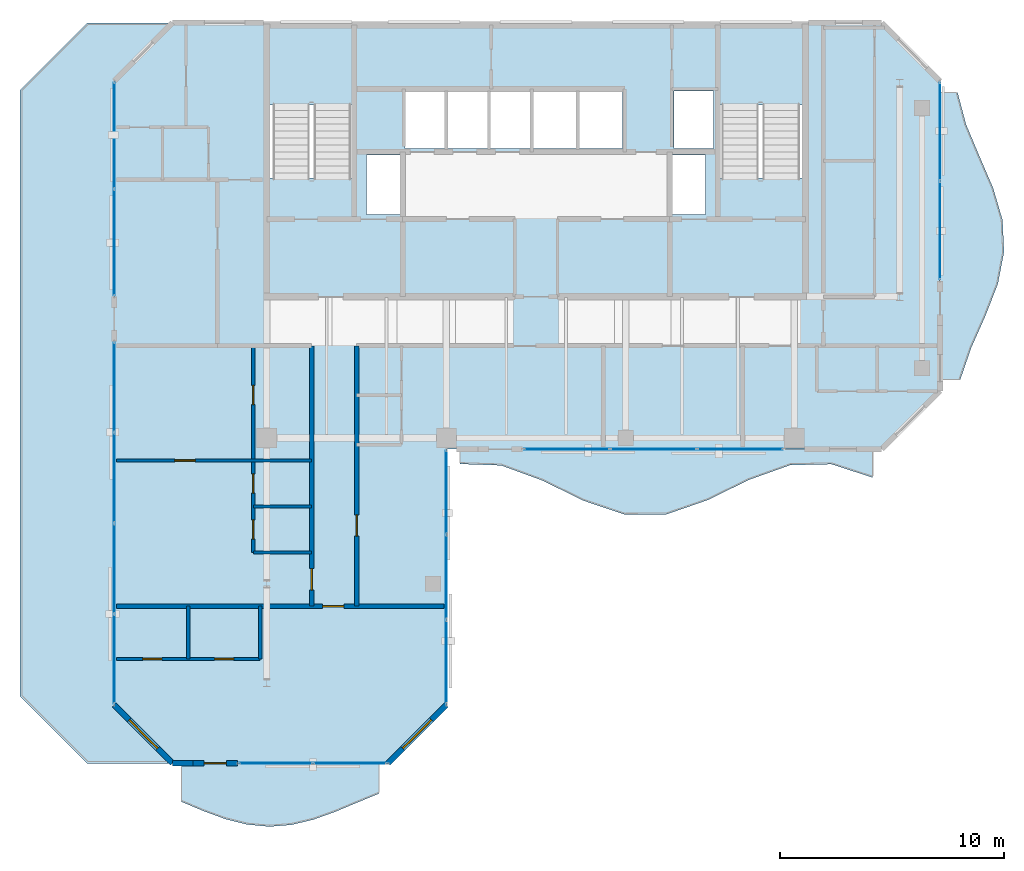
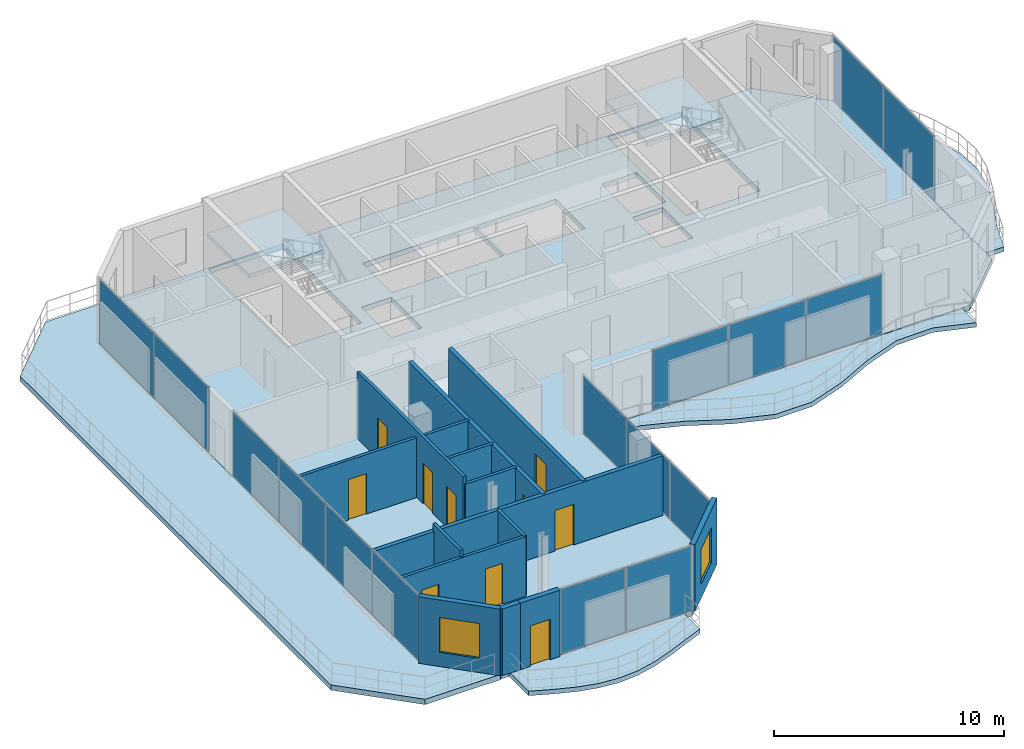
# One storey, part 13 of 18: 16 plates, 14 walls, 10 doors, 7 slabs, 2 windows, 12 openings, 8 elements without a shape of their own.
"""IFC4 building model written with IfcOpenShell, lengths in metres."""

from ifc_helpers import new_model, si_unit, direction, frame, frame_2d, origin, origin_2d, place, context, subcontext, project, spatial, polyline, rectangle, outline, extrude, material, layer, layer_set, type_object, element, fill, aggregate, save


model = new_model("IFC4")

# Units and contexts
model_context = context("Model", 3, precision=1e-05, world=origin(), true_north=direction((0.0, 1.0)))
body_context = subcontext(model_context, "Body", "Model", "MODEL_VIEW")
ifc_project = project(units=[si_unit("LENGTHUNIT", "METRE"), si_unit("AREAUNIT", "SQUARE_METRE"), si_unit("VOLUMEUNIT", "CUBIC_METRE"), si_unit("PLANEANGLEUNIT", "RADIAN"), si_unit("MASSUNIT", "GRAM", prefix="KILO")], contexts=[model_context])

# Site, building, storey
site_placement = place(None, origin())
site = spatial("IfcSite", under=ifc_project, at=site_placement, CompositionType="ELEMENT")
building_placement = place(site_placement, origin())
building = spatial("IfcBuilding", under=site, at=building_placement, Name="Catumbela Crestline Tower", CompositionType="ELEMENT")
storey_placement = place(building_placement, frame((0.0, 0.0, 264.0)))
storey = spatial("IfcBuildingStorey", under=building, at=storey_placement, Name="L68", CompositionType="ELEMENT", Elevation=264.0)

# Curtain wall, plates
ifc_material_1 = material(Name="Aluminium alloy AW-6060-T66", Category="aluminium")
ifc_layer_1 = layer(ifc_material_1, 0.18, Name="Aluminium alloy AW-6060-T66")
ifc_layer_set_1 = layer_set([ifc_layer_1], Name="Aluminium alloy AW-6060-T66")
curtain_wall_type = type_object("IfcCurtainWallType", Name="CWU-Z4", PredefinedType="USERDEFINED", material=ifc_layer_set_1)
curtain_wall_1_placement = place(storey_placement, origin())
curtain_wall_1 = element("IfcCurtainWall", 1, at=curtain_wall_1_placement, inside=storey, type_object=curtain_wall_type, Name="L68 Unitised Curtain Wall CW-L68-E0S2", ObjectType="UNITISED", PredefinedType="USERDEFINED")
ifc_material_2 = material(Name="Low-E laminated solar-control double glazing", Category="glass")
ifc_layer_2 = layer(ifc_material_2, 0.036, Name="Low-E laminated solar-control double glazing")
ifc_layer_set_2 = layer_set([ifc_layer_2], Name="Low-E laminated solar-control double glazing")
plate_type = type_object("IfcPlateType", Name="PNL-GLZ-Z4", PredefinedType="CURTAIN_PANEL", material=ifc_layer_set_2)
plate_1_placement = place(storey_placement, frame((16.3912, 10.0, 0.06), z_axis=(0.0, 0.0, 1.0), x_axis=(1.0, 0.0, 0.0)))
plate_1 = element("IfcPlate", 2, at=plate_1_placement, type_object=plate_type, Name="CWU-Z4 panel 1.1", PredefinedType="CURTAIN_PANEL", context=body_context, shape_type="SweptSolid", body=[
    extrude(rectangle(XDim=3.2525, YDim=0.034, at=origin_2d()), origin(), (0.0, 0.0, 1.0), 3.41),
])
plate_2_placement = place(storey_placement, frame((19.7087, 10.0, 0.06), z_axis=(0.0, 0.0, 1.0), x_axis=(1.0, 0.0, 0.0)))
plate_2 = element("IfcPlate", 3, at=plate_2_placement, type_object=plate_type, Name="CWU-Z4 panel 2.1", PredefinedType="CURTAIN_PANEL", context=body_context, shape_type="SweptSolid", body=[
    extrude(rectangle(XDim=3.2525, YDim=0.034, at=origin_2d()), origin(), (0.0, 0.0, 1.0), 3.41),
])
aggregate(curtain_wall_1, [plate_1, plate_2])

curtain_wall_2_placement = place(storey_placement, origin())
curtain_wall_2 = element("IfcCurtainWall", 4, at=curtain_wall_2_placement, inside=storey, type_object=curtain_wall_type, Name="L68 Unitised Curtain Wall CW-L68-E2S1", ObjectType="UNITISED", PredefinedType="USERDEFINED")
plate_3_placement = place(storey_placement, frame((24.0, 14.5162, 0.06), z_axis=(0.0, 0.0, 1.0), x_axis=(0.0, 1.0, 0.0)))
plate_3 = element("IfcPlate", 5, at=plate_3_placement, type_object=plate_type, Name="CWU-Z4 panel 1.1", PredefinedType="CURTAIN_PANEL", context=body_context, shape_type="SweptSolid", body=[
    extrude(rectangle(XDim=3.7025, YDim=0.034, at=origin_2d()), origin(), (0.0, 0.0, 1.0), 3.04),
])
plate_4_placement = place(storey_placement, frame((24.0, 18.3, 0.06), z_axis=(0.0, 0.0, 1.0), x_axis=(0.0, 1.0, 0.0)))
plate_4 = element("IfcPlate", 6, at=plate_4_placement, type_object=plate_type, Name="CWU-Z4 panel 2.1", PredefinedType="CURTAIN_PANEL", context=body_context, shape_type="SweptSolid", body=[
    extrude(rectangle(XDim=3.735, YDim=0.034, at=origin_2d()), origin(), (0.0, 0.0, 1.0), 3.04),
])
plate_5_placement = place(storey_placement, frame((24.0, 22.0837, 0.06), z_axis=(0.0, 0.0, 1.0), x_axis=(0.0, 1.0, 0.0)))
plate_5 = element("IfcPlate", 7, at=plate_5_placement, type_object=plate_type, Name="CWU-Z4 panel 3.1", PredefinedType="CURTAIN_PANEL", context=body_context, shape_type="SweptSolid", body=[
    extrude(rectangle(XDim=3.7025, YDim=0.034, at=origin_2d()), origin(), (0.0, 0.0, 1.0), 3.04),
])
aggregate(curtain_wall_2, [plate_3, plate_4, plate_5])

curtain_wall_3_placement = place(storey_placement, origin())
curtain_wall_3 = element("IfcCurtainWall", 8, at=curtain_wall_3_placement, inside=storey, type_object=curtain_wall_type, Name="L68 Unitised Curtain Wall CW-L68-E3S2", ObjectType="UNITISED", PredefinedType="USERDEFINED")
plate_6_placement = place(storey_placement, frame((29.3579, 24.0, 0.06), z_axis=(0.0, 0.0, 1.0), x_axis=(1.0, 0.0, 0.0)))
plate_6 = element("IfcPlate", 9, at=plate_6_placement, type_object=plate_type, Name="CWU-Z4 panel 1.1", PredefinedType="CURTAIN_PANEL", context=body_context, shape_type="SweptSolid", body=[
    extrude(rectangle(XDim=3.7858, YDim=0.034, at=origin_2d()), origin(), (0.0, 0.0, 1.0), 3.15),
])
plate_7_placement = place(storey_placement, frame((33.225, 24.0, 0.06), z_axis=(0.0, 0.0, 1.0), x_axis=(1.0, 0.0, 0.0)))
plate_7 = element("IfcPlate", 10, at=plate_7_placement, type_object=plate_type, Name="CWU-Z4 panel 2.1", PredefinedType="CURTAIN_PANEL", context=body_context, shape_type="SweptSolid", body=[
    extrude(rectangle(XDim=3.8183, YDim=0.034, at=origin_2d()), origin(), (0.0, 0.0, 1.0), 3.15),
])
plate_8_placement = place(storey_placement, frame((37.0921, 24.0, 0.06), z_axis=(0.0, 0.0, 1.0), x_axis=(1.0, 0.0, 0.0)))
plate_8 = element("IfcPlate", 11, at=plate_8_placement, type_object=plate_type, Name="CWU-Z4 panel 3.1", PredefinedType="CURTAIN_PANEL", context=body_context, shape_type="SweptSolid", body=[
    extrude(rectangle(XDim=3.7858, YDim=0.034, at=origin_2d()), origin(), (0.0, 0.0, 1.0), 3.15),
])
aggregate(curtain_wall_3, [plate_6, plate_7, plate_8])

curtain_wall_4_placement = place(storey_placement, origin())
curtain_wall_4 = element("IfcCurtainWall", 12, at=curtain_wall_4_placement, inside=storey, type_object=curtain_wall_type, Name="L68 Unitised Curtain Wall CW-L68-E5S2", ObjectType="UNITISED", PredefinedType="USERDEFINED")
plate_9_placement = place(storey_placement, frame((46.0, 33.7412, 0.06), z_axis=(0.0, 0.0, 1.0), x_axis=(0.0, 1.0, 0.0)))
plate_9 = element("IfcPlate", 13, at=plate_9_placement, type_object=plate_type, Name="CWU-Z4 panel 1.1", PredefinedType="CURTAIN_PANEL", context=body_context, shape_type="SweptSolid", body=[
    extrude(rectangle(XDim=4.3525, YDim=0.034, at=origin_2d()), origin(), (0.0, 0.0, 1.0), 3.41),
])
plate_10_placement = place(storey_placement, frame((46.0, 38.1588, 0.06), z_axis=(0.0, 0.0, 1.0), x_axis=(0.0, 1.0, 0.0)))
plate_10 = element("IfcPlate", 14, at=plate_10_placement, type_object=plate_type, Name="CWU-Z4 panel 2.1", PredefinedType="CURTAIN_PANEL", context=body_context, shape_type="SweptSolid", body=[
    extrude(rectangle(XDim=4.3525, YDim=0.034, at=origin_2d()), origin(), (0.0, 0.0, 1.0), 3.41),
])
aggregate(curtain_wall_4, [plate_9, plate_10])

curtain_wall_5_placement = place(storey_placement, origin())
curtain_wall_5 = element("IfcCurtainWall", 15, at=curtain_wall_5_placement, inside=storey, type_object=curtain_wall_type, Name="L68 Unitised Curtain Wall CW-L68-E9S1", ObjectType="UNITISED", PredefinedType="USERDEFINED")
plate_11_placement = place(storey_placement, frame((9.2, 37.9838, 0.06), z_axis=(0.0, 0.0, 1.0), x_axis=(0.0, -1.0, 0.0)))
plate_11 = element("IfcPlate", 16, at=plate_11_placement, type_object=plate_type, Name="CWU-Z4 panel 1.1", PredefinedType="CURTAIN_PANEL", context=body_context, shape_type="SweptSolid", body=[
    extrude(rectangle(XDim=4.7025, YDim=0.034, at=origin_2d()), origin(), (0.0, 0.0, 1.0), 3.41),
])
plate_12_placement = place(storey_placement, frame((9.2, 33.2162, 0.06), z_axis=(0.0, 0.0, 1.0), x_axis=(0.0, -1.0, 0.0)))
plate_12 = element("IfcPlate", 17, at=plate_12_placement, type_object=plate_type, Name="CWU-Z4 panel 2.1", PredefinedType="CURTAIN_PANEL", context=body_context, shape_type="SweptSolid", body=[
    extrude(rectangle(XDim=4.7025, YDim=0.034, at=origin_2d()), origin(), (0.0, 0.0, 1.0), 3.41),
])
aggregate(curtain_wall_5, [plate_11, plate_12])

curtain_wall_6_placement = place(storey_placement, origin())
curtain_wall_6 = element("IfcCurtainWall", 18, at=curtain_wall_6_placement, inside=storey, type_object=curtain_wall_type, Name="L68 Unitised Curtain Wall CW-L68-E9S2", ObjectType="UNITISED", PredefinedType="USERDEFINED")
plate_13_placement = place(storey_placement, frame((9.2, 26.7588, 0.06), z_axis=(0.0, 0.0, 1.0), x_axis=(0.0, -1.0, 0.0)))
plate_13 = element("IfcPlate", 19, at=plate_13_placement, type_object=plate_type, Name="CWU-Z4 panel 1.1", PredefinedType="CURTAIN_PANEL", context=body_context, shape_type="SweptSolid", body=[
    extrude(rectangle(XDim=3.9525, YDim=0.034, at=origin_2d()), origin(), (0.0, 0.0, 1.0), 3.41),
])
plate_14_placement = place(storey_placement, frame((9.2, 22.725, 0.06), z_axis=(0.0, 0.0, 1.0), x_axis=(0.0, -1.0, 0.0)))
plate_14 = element("IfcPlate", 20, at=plate_14_placement, type_object=plate_type, Name="CWU-Z4 panel 2.1", PredefinedType="CURTAIN_PANEL", context=body_context, shape_type="SweptSolid", body=[
    extrude(rectangle(XDim=3.985, YDim=0.034, at=origin_2d()), origin(), (0.0, 0.0, 1.0), 3.41),
])
plate_15_placement = place(storey_placement, frame((9.2, 18.675, 0.06), z_axis=(0.0, 0.0, 1.0), x_axis=(0.0, -1.0, 0.0)))
plate_15 = element("IfcPlate", 21, at=plate_15_placement, type_object=plate_type, Name="CWU-Z4 panel 3.1", PredefinedType="CURTAIN_PANEL", context=body_context, shape_type="SweptSolid", body=[
    extrude(rectangle(XDim=3.985, YDim=0.034, at=origin_2d()), origin(), (0.0, 0.0, 1.0), 3.41),
])
plate_16_placement = place(storey_placement, frame((9.2, 14.6412, 0.06), z_axis=(0.0, 0.0, 1.0), x_axis=(0.0, -1.0, 0.0)))
plate_16 = element("IfcPlate", 22, at=plate_16_placement, type_object=plate_type, Name="CWU-Z4 panel 4.1", PredefinedType="CURTAIN_PANEL", context=body_context, shape_type="SweptSolid", body=[
    extrude(rectangle(XDim=3.9525, YDim=0.034, at=origin_2d()), origin(), (0.0, 0.0, 1.0), 3.41),
])
aggregate(curtain_wall_6, [plate_13, plate_14, plate_15, plate_16])

# Slab
ifc_material_3 = material(Name="Concrete C45/55", Category="concrete")
ifc_layer_3 = layer(ifc_material_3, 0.28, Name="Concrete C45/55")
ifc_layer_set_3 = layer_set([ifc_layer_3], Name="Concrete C45/55")
slab_type_1 = type_object("IfcSlabType", Name="SR-280C", PredefinedType="ROOF", material=ifc_layer_set_3)
slab_1_placement = place(storey_placement, frame((0.0, 0.0, -0.28)))
element("IfcSlab", 23, at=slab_1_placement, inside=storey, type_object=slab_type_1, Name="L68 Stepped Terrace Cap Roof Slab 1", PredefinedType="ROOF", context=body_context, shape_type="SweptSolid", body=[
    extrude(outline(polyline([(5.0, 13.0), (5.0, 40.0), (8.0, 43.0), (11.7859, 43.0), (9.19, 40.4041), (9.19, 12.5959), (11.7859, 10.0), (8.0, 10.0), (5.0, 13.0)])), origin(), (0.0, 0.0, 1.0), 0.28),
])

# Stair, slab
stair_type = type_object("IfcStairType", Name="ST-DLG", PredefinedType="HALF_TURN_STAIR", material=ifc_material_3)
stair_1_placement = place(storey_placement, origin())
stair_1 = element("IfcStair", 24, at=stair_1_placement, inside=storey, type_object=stair_type, Name="L68 West Core Pressurised Exit Stair ST-01", PredefinedType="HALF_TURN_STAIR")
ifc_layer_4 = layer(ifc_material_3, 0.2, Name="Concrete C45/55")
ifc_layer_set_4 = layer_set([ifc_layer_4], Name="Concrete C45/55")
slab_type_2 = type_object("IfcSlabType", Name="SL-LND", PredefinedType="LANDING", material=ifc_layer_set_4)
slab_2_placement = place(storey_placement, frame((0.0, 0.0, 1.7)))
slab_2 = element("IfcSlab", 25, at=slab_2_placement, type_object=slab_type_2, Name="ST-01 landing 1", PredefinedType="LANDING", context=body_context, shape_type="SweptSolid", body=[
    extrude(outline(polyline([(19.91, 39.33), (19.91, 42.96), (16.09, 42.96), (16.09, 39.33), (19.91, 39.33)])), origin(), (0.0, 0.0, 1.0), 0.2),
])
aggregate(stair_1, [slab_2])

stair_2_placement = place(storey_placement, origin())
stair_2 = element("IfcStair", 26, at=stair_2_placement, inside=storey, type_object=stair_type, Name="L68 East Core Pressurised Exit Stair ST-02", PredefinedType="HALF_TURN_STAIR")
slab_3_placement = place(storey_placement, frame((0.0, 0.0, 1.7)))
slab_3 = element("IfcSlab", 27, at=slab_3_placement, type_object=slab_type_2, Name="ST-02 landing 1", PredefinedType="LANDING", context=body_context, shape_type="SweptSolid", body=[
    extrude(outline(polyline([(39.91, 39.33), (39.91, 42.96), (36.09, 42.96), (36.09, 39.33), (39.91, 39.33)])), origin(), (0.0, 0.0, 1.0), 0.2),
])
aggregate(stair_2, [slab_3])

# Slabs
ifc_layer_5 = layer(ifc_material_3, 0.26, Name="Concrete C45/55")
ifc_layer_set_5 = layer_set([ifc_layer_5], Name="Concrete C45/55")
slab_type_3 = type_object("IfcSlabType", Name="SL-260", PredefinedType="FLOOR", material=ifc_layer_set_5)
slab_4_placement = place(storey_placement, frame((0.0, 0.0, -0.26)))
element("IfcSlab", 28, at=slab_4_placement, inside=storey, type_object=slab_type_3, Name="L68 Structural Floor Slab", PredefinedType="FLOOR", context=body_context, shape_type="SweptSolid", body=[
    extrude(outline(polyline([(11.8, 10.0), (21.4, 10.0), (24.0, 12.6), (24.0, 24.0), (43.4, 24.0), (46.0, 26.6), (46.0, 40.4), (43.4, 43.0), (11.8, 43.0), (9.2, 40.4), (9.2, 12.6), (11.8, 10.0)]), holes=[polyline([(16.13, 36.08), (19.87, 36.08), (19.87, 42.92), (16.13, 42.92), (16.13, 36.08)]), polyline([(36.13, 36.08), (39.87, 36.08), (39.87, 42.92), (36.13, 42.92), (36.13, 36.08)]), polyline([(22.15, 37.4), (27.75, 37.4), (27.75, 39.95), (22.15, 39.95), (22.15, 37.4)]), polyline([(27.85, 37.4), (31.85, 37.4), (31.85, 39.95), (27.85, 39.95), (27.85, 37.4)]), polyline([(20.45, 34.45), (21.95, 34.45), (21.95, 37.1), (20.45, 37.1), (20.45, 34.45)]), polyline([(34.05, 34.45), (35.55, 34.45), (35.55, 37.1), (34.05, 37.1), (34.05, 34.45)]), polyline([(34.15, 37.4), (35.9, 37.4), (35.9, 39.95), (34.15, 39.95), (34.15, 37.4)])]), origin(), (0.0, 0.0, 1.0), 0.26),
])
ifc_layer_6 = layer(ifc_material_3, 0.24, Name="Concrete C45/55")
ifc_layer_set_6 = layer_set([ifc_layer_6], Name="Concrete C45/55")
slab_type_4 = type_object("IfcSlabType", Name="SB-240W", PredefinedType="USERDEFINED", material=ifc_layer_set_6)
slab_5_placement = place(storey_placement, frame((0.0, 0.0, -0.24)))
element("IfcSlab", 29, at=slab_5_placement, inside=storey, type_object=slab_type_4, Name="L68 Cantilevered Wave Balcony Slab SPINE-S", ObjectType="BALCONY", PredefinedType="USERDEFINED", context=body_context, shape_type="SweptSolid", body=[
    extrude(outline(polyline([(24.6, 23.3413), (26.44, 23.2771), (28.28, 22.6041), (30.12, 21.7027), (31.96, 21.0824), (33.8, 21.0938), (35.64, 21.7304), (37.48, 22.6324), (39.32, 23.29), (41.16, 23.3316), (43.0, 22.7336), (43.0, 23.99), (24.6, 23.99), (24.6, 23.3413)])), origin(), (0.0, 0.0, 1.0), 0.24),
])
slab_6_placement = place(storey_placement, frame((0.0, 0.0, -0.24)))
element("IfcSlab", 30, at=slab_6_placement, inside=storey, type_object=slab_type_4, Name="L68 Cantilevered Wave Balcony Slab SPINE-E", ObjectType="BALCONY", PredefinedType="USERDEFINED", context=body_context, shape_type="SweptSolid", body=[
    extrude(outline(polyline([(46.01, 27.1), (46.9001, 27.1), (47.3902, 28.5222), (48.0215, 29.9444), (48.5764, 31.3667), (48.85, 32.7889), (48.7848, 34.2111), (48.3664, 35.6333), (47.7529, 37.0556), (47.1556, 38.4778), (46.7803, 39.9), (46.01, 39.9), (46.01, 27.1)])), origin(), (0.0, 0.0, 1.0), 0.24),
])
slab_7_placement = place(storey_placement, frame((0.0, 0.0, -0.24)))
element("IfcSlab", 31, at=slab_7_placement, inside=storey, type_object=slab_type_4, Name="L68 Cantilevered Wave Balcony Slab WING-S", ObjectType="BALCONY", PredefinedType="USERDEFINED", context=body_context, shape_type="SweptSolid", body=[
    extrude(outline(polyline([(12.2, 8.2866), (13.1778, 7.8747), (14.1556, 7.5166), (15.1333, 7.2716), (16.1111, 7.1802), (17.0889, 7.2574), (18.0667, 7.4906), (19.0444, 7.8411), (20.0222, 8.251), (21.0, 8.6524), (21.0, 9.99), (12.2, 9.99), (12.2, 8.2866)])), origin(), (0.0, 0.0, 1.0), 0.24),
])

# Wall, opening, door
ifc_material_4 = material(Name="Acoustic gypsum and mineral-wool partition")
ifc_layer_7 = layer(ifc_material_4, 0.2, Name="Acoustic gypsum and mineral-wool partition")
ifc_layer_set_7 = layer_set([ifc_layer_7], Name="Acoustic gypsum and mineral-wool partition")
wall_type_1 = type_object("IfcWallType", Name="WC-200", PredefinedType="PARTITIONING", material=ifc_layer_set_7)
wall_1_placement = place(storey_placement, frame((18.0, 17.0, 0.0), z_axis=(0.0, 0.0, 1.0), x_axis=(0.0, 1.0, 0.0)))
wall_1 = element("IfcWall", 32, at=wall_1_placement, inside=storey, type_object=wall_type_1, Name="L68 Interior Partition PW-L68-WL1-ENT", PredefinedType="PARTITIONING", context=body_context, shape_type="SweptSolid", body=[
    extrude(rectangle(XDim=11.6, YDim=0.2, at=frame_2d((5.8, 0.0))), origin(), (0.0, 0.0, 1.0), 3.16),
])
opening_1_placement = place(wall_1_placement, frame((0.723, 0.0, 0.0)))
opening_1 = element("IfcOpeningElement", 33, at=opening_1_placement, cuts=wall_1, Name="Opening DF6-095", PredefinedType="OPENING", context=body_context, shape_type="SweptSolid", body=[
    extrude(rectangle(XDim=0.95, YDim=2.15, at=frame_2d((0.475, 1.075))), frame((0.0, 0.11, 0.0), z_axis=(0.0, -1.0, 0.0), x_axis=(1.0, 0.0, 0.0)), (0.0, 0.0, 1.0), 0.22),
])
door_type_1 = type_object("IfcDoorType", Name="DF6-095", OperationType="NOTDEFINED", PredefinedType="DOOR", material=ifc_material_1)
door_1_placement = place(opening_1_placement, origin())
door_1 = element("IfcDoor", 34, at=door_1_placement, inside=storey, type_object=door_type_1, Name="L68 Interior Door DR-L68-WL1-ENT", OperationType="SINGLE_SWING_LEFT", OverallHeight=2.15, OverallWidth=0.95, PredefinedType="DOOR", context=body_context, shape_type="SweptSolid", body=[
    extrude(rectangle(XDim=0.95, YDim=2.15, at=frame_2d((0.475, 1.075))), frame((0.0, 0.025, 0.0), z_axis=(0.0, -1.0, 0.0), x_axis=(1.0, 0.0, 0.0)), (0.0, 0.0, 1.0), 0.05),
])
fill(opening_1, door_1)

wall_2_placement = place(storey_placement, frame((20.0, 17.0, 0.0), z_axis=(0.0, 0.0, 1.0), x_axis=(0.0, 1.0, 0.0)))
wall_2 = element("IfcWall", 35, at=wall_2_placement, inside=storey, type_object=wall_type_1, Name="L68 Interior Partition PW-L68-WR1-ENT", PredefinedType="PARTITIONING", context=body_context, shape_type="SweptSolid", body=[
    extrude(rectangle(XDim=11.6, YDim=0.2, at=frame_2d((5.8, 0.0))), origin(), (0.0, 0.0, 1.0), 3.16),
])
opening_2_placement = place(wall_2_placement, frame((3.125, 0.0, 0.0)))
opening_2 = element("IfcOpeningElement", 36, at=opening_2_placement, cuts=wall_2, Name="Opening DF6-095", PredefinedType="OPENING", context=body_context, shape_type="SweptSolid", body=[
    extrude(rectangle(XDim=0.95, YDim=2.15, at=frame_2d((0.475, 1.075))), frame((0.0, 0.11, 0.0), z_axis=(0.0, -1.0, 0.0), x_axis=(1.0, 0.0, 0.0)), (0.0, 0.0, 1.0), 0.22),
])
door_2_placement = place(opening_2_placement, origin())
door_2 = element("IfcDoor", 37, at=door_2_placement, inside=storey, type_object=door_type_1, Name="L68 Interior Door DR-L68-WR1-ENT", OperationType="SINGLE_SWING_LEFT", OverallHeight=2.15, OverallWidth=0.95, PredefinedType="DOOR", context=body_context, shape_type="SweptSolid", body=[
    extrude(rectangle(XDim=0.95, YDim=2.15, at=frame_2d((0.475, 1.075))), frame((0.0, 0.025, 0.0), z_axis=(0.0, -1.0, 0.0), x_axis=(1.0, 0.0, 0.0)), (0.0, 0.0, 1.0), 0.05),
])
fill(opening_2, door_2)

ifc_material_5 = material(Name="Angolan grey-ochre granite", Category="masonry")
ifc_layer_8 = layer(ifc_material_5, 0.25, Name="Angolan grey-ochre granite")
ifc_layer_set_8 = layer_set([ifc_layer_8], Name="Angolan grey-ochre granite")
wall_type_2 = type_object("IfcWallType", Name="WE-250", PredefinedType="STANDARD", material=ifc_layer_set_8)
wall_3_placement = place(storey_placement, frame((12.7, 10.0, 0.0), z_axis=(0.0, 0.0, 1.0), x_axis=(1.0, 0.0, 0.0)))
wall_3 = element("IfcWall", 38, at=wall_3_placement, inside=storey, type_object=wall_type_2, Name="L68 Exterior Threshold Portal Wall DR-L68-WBAL-3", PredefinedType="STANDARD", context=body_context, shape_type="SweptSolid", body=[
    extrude(rectangle(XDim=2.0, YDim=0.25, at=frame_2d((1.0, 0.0))), origin(), (0.0, 0.0, 1.0), 3.53),
])
opening_3_placement = place(wall_3_placement, frame((0.5, 0.0, 0.0)))
opening_3 = element("IfcOpeningElement", 39, at=opening_3_placement, cuts=wall_3, Name="Opening DB-L68-3", PredefinedType="OPENING", context=body_context, shape_type="SweptSolid", body=[
    extrude(rectangle(XDim=1.0, YDim=2.15, at=frame_2d((0.5, 1.075))), frame((0.0, 0.135, 0.0), z_axis=(0.0, -1.0, 0.0), x_axis=(1.0, 0.0, 0.0)), (0.0, 0.0, 1.0), 0.27),
])
door_type_2 = type_object("IfcDoorType", Name="DB-1000", OperationType="NOTDEFINED", PredefinedType="DOOR", material=ifc_material_1)
door_3_placement = place(opening_3_placement, origin())
door_3 = element("IfcDoor", 40, at=door_3_placement, inside=storey, type_object=door_type_2, Name="L68 Wave Balcony Terrace Door 3", OperationType="SINGLE_SWING_RIGHT", OverallHeight=2.15, OverallWidth=1.0, PredefinedType="DOOR", context=body_context, shape_type="SweptSolid", body=[
    extrude(rectangle(XDim=1.0, YDim=2.15, at=frame_2d((0.5, 1.075))), frame((0.0, 0.025, 0.0), z_axis=(0.0, -1.0, 0.0), x_axis=(1.0, 0.0, 0.0)), (0.0, 0.0, 1.0), 0.05),
])
fill(opening_3, door_3)

# Wall
wall_4_placement = place(storey_placement, frame((11.8, 10.0, 0.0), z_axis=(0.0, 0.0, 1.0), x_axis=(1.0, 0.0, 0.0)))
element("IfcWall", 41, at=wall_4_placement, inside=storey, type_object=wall_type_2, Name="L68 Granite Punched Window Wall 0-1", PredefinedType="STANDARD", context=body_context, shape_type="SweptSolid", body=[
    extrude(rectangle(XDim=0.9, YDim=0.25, at=frame_2d((0.45, 0.0))), origin(), (0.0, 0.0, 1.0), 3.53),
])

# Wall, opening, window
wall_5_placement = place(storey_placement, frame((21.4, 10.0, 0.0), z_axis=(0.0, 0.0, 1.0), x_axis=(0.707106781187, 0.707106781187, 0.0)))
wall_5 = element("IfcWall", 42, at=wall_5_placement, inside=storey, type_object=wall_type_2, Name="L68 Granite Punched Window Wall 1-1", PredefinedType="STANDARD", context=body_context, shape_type="SweptSolid", body=[
    extrude(rectangle(XDim=3.677, YDim=0.25, at=frame_2d((1.8385, 0.0))), origin(), (0.0, 0.0, 1.0), 3.53),
])
opening_4_placement = place(wall_5_placement, frame((0.9385, 0.0, 0.75)))
opening_4 = element("IfcOpeningElement", 43, at=opening_4_placement, cuts=wall_5, Name="Opening WN-01", PredefinedType="OPENING", context=body_context, shape_type="SweptSolid", body=[
    extrude(rectangle(XDim=1.8, YDim=1.85, at=frame_2d((0.9, 0.925))), frame((0.0, 0.135, 0.0), z_axis=(0.0, -1.0, 0.0), x_axis=(1.0, 0.0, 0.0)), (0.0, 0.0, 1.0), 0.27),
])
window_type = type_object("IfcWindowType", Name="WF-1800", PartitioningType="SINGLE_PANEL", PredefinedType="WINDOW", material=ifc_material_2)
window_1_placement = place(opening_4_placement, origin())
window_1 = element("IfcWindow", 44, at=window_1_placement, inside=storey, type_object=window_type, Name="L68 Facade Vision Window 529", OverallHeight=1.85, OverallWidth=1.8, PartitioningType="SINGLE_PANEL", PredefinedType="WINDOW", context=body_context, shape_type="SweptSolid", body=[
    extrude(rectangle(XDim=1.8, YDim=1.85, at=frame_2d((0.9, 0.925))), frame((0.0, 0.03, 0.0), z_axis=(0.0, -1.0, 0.0), x_axis=(1.0, 0.0, 0.0)), (0.0, 0.0, 1.0), 0.06),
])
fill(opening_4, window_1)

wall_6_placement = place(storey_placement, frame((9.2, 12.6, 0.0), z_axis=(0.0, 0.0, 1.0), x_axis=(0.707106781187, -0.707106781187, 0.0)))
wall_6 = element("IfcWall", 45, at=wall_6_placement, inside=storey, type_object=wall_type_2, Name="L68 Granite Punched Window Wall 10-1", PredefinedType="STANDARD", context=body_context, shape_type="SweptSolid", body=[
    extrude(rectangle(XDim=3.677, YDim=0.25, at=frame_2d((1.8385, 0.0))), origin(), (0.0, 0.0, 1.0), 3.53),
])
opening_5_placement = place(wall_6_placement, frame((0.9385, 0.0, 0.75)))
opening_5 = element("IfcOpeningElement", 46, at=opening_5_placement, cuts=wall_6, Name="Opening WN-01", PredefinedType="OPENING", context=body_context, shape_type="SweptSolid", body=[
    extrude(rectangle(XDim=1.8, YDim=1.85, at=frame_2d((0.9, 0.925))), frame((0.0, 0.135, 0.0), z_axis=(0.0, -1.0, 0.0), x_axis=(1.0, 0.0, 0.0)), (0.0, 0.0, 1.0), 0.27),
])
window_2_placement = place(opening_5_placement, origin())
window_2 = element("IfcWindow", 47, at=window_2_placement, inside=storey, type_object=window_type, Name="L68 Facade Vision Window 537", OverallHeight=1.85, OverallWidth=1.8, PartitioningType="SINGLE_PANEL", PredefinedType="WINDOW", context=body_context, shape_type="SweptSolid", body=[
    extrude(rectangle(XDim=1.8, YDim=1.85, at=frame_2d((0.9, 0.925))), frame((0.0, 0.03, 0.0), z_axis=(0.0, -1.0, 0.0), x_axis=(1.0, 0.0, 0.0)), (0.0, 0.0, 1.0), 0.06),
])
fill(opening_5, window_2)

# Walls
ifc_layer_9 = layer(ifc_material_4, 0.15, Name="Acoustic gypsum and mineral-wool partition")
ifc_layer_set_9 = layer_set([ifc_layer_9], Name="Acoustic gypsum and mineral-wool partition")
wall_type_3 = type_object("IfcWallType", Name="WP-150", PredefinedType="PARTITIONING", material=ifc_layer_set_9)
for number, where, z_axis, x_axis, name in (
    (48, (15.4, 19.396, 0.0), (0.0, 0.0, 1.0), (1.0, 0.0, 0.0), "L68 Interior Partition PW-L68-WL1-KBS"),
    (49, (15.4, 21.446, 0.0), (0.0, 0.0, 1.0), (1.0, 0.0, 0.0), "L68 Interior Partition PW-L68-WL1-KBM"),
):
    element("IfcWall", number, at=place(storey_placement, frame(where, z_axis=z_axis, x_axis=x_axis)), inside=storey, type_object=wall_type_3, Name=name, PredefinedType="PARTITIONING", context=body_context, shape_type="SweptSolid", body=[
        extrude(rectangle(XDim=2.6, YDim=0.15, at=frame_2d((1.3, 0.0))), origin(), (0.0, 0.0, 1.0), 3.16),
    ])

# Wall, opening, door
wall_7_placement = place(storey_placement, frame((9.3, 23.496, 0.0), z_axis=(0.0, 0.0, 1.0), x_axis=(1.0, 0.0, 0.0)))
wall_7 = element("IfcWall", 50, at=wall_7_placement, inside=storey, type_object=wall_type_3, Name="L68 Interior Partition PW-L68-WL1-KBN", PredefinedType="PARTITIONING", context=body_context, shape_type="SweptSolid", body=[
    extrude(rectangle(XDim=8.7, YDim=0.15, at=frame_2d((4.35, 0.0))), origin(), (0.0, 0.0, 1.0), 3.16),
])
opening_6_placement = place(wall_7_placement, frame((2.6, 0.0, 0.0)))
opening_6 = element("IfcOpeningElement", 51, at=opening_6_placement, cuts=wall_7, Name="Opening DI-090", PredefinedType="OPENING", context=body_context, shape_type="SweptSolid", body=[
    extrude(rectangle(XDim=0.9, YDim=2.15, at=frame_2d((0.45, 1.075))), frame((0.0, 0.085, 0.0), z_axis=(0.0, -1.0, 0.0), x_axis=(1.0, 0.0, 0.0)), (0.0, 0.0, 1.0), 0.17),
])
door_type_3 = type_object("IfcDoorType", Name="DI-090", OperationType="NOTDEFINED", PredefinedType="DOOR", material=ifc_material_1)
door_4_placement = place(opening_6_placement, origin())
door_4 = element("IfcDoor", 52, at=door_4_placement, inside=storey, type_object=door_type_3, Name="L68 Interior Door DR-L68-WL1-BD1", OperationType="SINGLE_SWING_LEFT", OverallHeight=2.15, OverallWidth=0.9, PredefinedType="DOOR", context=body_context, shape_type="SweptSolid", body=[
    extrude(rectangle(XDim=0.9, YDim=2.15, at=frame_2d((0.45, 1.075))), frame((0.0, 0.025, 0.0), z_axis=(0.0, -1.0, 0.0), x_axis=(1.0, 0.0, 0.0)), (0.0, 0.0, 1.0), 0.05),
])
fill(opening_6, door_4)

# Wall, openings, doors
wall_8_placement = place(storey_placement, frame((15.4, 19.396, 0.0), z_axis=(0.0, 0.0, 1.0), x_axis=(0.0, 1.0, 0.0)))
wall_8 = element("IfcWall", 53, at=wall_8_placement, inside=storey, type_object=wall_type_3, Name="L68 Interior Partition PW-L68-WL1-LK", PredefinedType="PARTITIONING", context=body_context, shape_type="SweptSolid", body=[
    extrude(rectangle(XDim=9.204, YDim=0.15, at=frame_2d((4.602, 0.0))), origin(), (0.0, 0.0, 1.0), 3.53),
])
opening_7_placement = place(wall_8_placement, frame((0.6, 0.0, 0.0)))
opening_7 = element("IfcOpeningElement", 54, at=opening_7_placement, cuts=wall_8, Name="Opening DI-085", PredefinedType="OPENING", context=body_context, shape_type="SweptSolid", body=[
    extrude(rectangle(XDim=0.85, YDim=2.15, at=frame_2d((0.425, 1.075))), frame((0.0, 0.085, 0.0), z_axis=(0.0, -1.0, 0.0), x_axis=(1.0, 0.0, 0.0)), (0.0, 0.0, 1.0), 0.17),
])
opening_8_placement = place(wall_8_placement, frame((2.65, 0.0, 0.0)))
opening_8 = element("IfcOpeningElement", 55, at=opening_8_placement, cuts=wall_8, Name="Opening DI-085", PredefinedType="OPENING", context=body_context, shape_type="SweptSolid", body=[
    extrude(rectangle(XDim=0.85, YDim=2.15, at=frame_2d((0.425, 1.075))), frame((0.0, 0.085, 0.0), z_axis=(0.0, -1.0, 0.0), x_axis=(1.0, 0.0, 0.0)), (0.0, 0.0, 1.0), 0.17),
])
opening_9_placement = place(wall_8_placement, frame((6.5927, 0.0, 0.0)))
opening_9 = element("IfcOpeningElement", 56, at=opening_9_placement, cuts=wall_8, Name="Opening DI-085", PredefinedType="OPENING", context=body_context, shape_type="SweptSolid", body=[
    extrude(rectangle(XDim=0.85, YDim=2.15, at=frame_2d((0.425, 1.075))), frame((0.0, 0.085, 0.0), z_axis=(0.0, -1.0, 0.0), x_axis=(1.0, 0.0, 0.0)), (0.0, 0.0, 1.0), 0.17),
])
door_type_4 = type_object("IfcDoorType", Name="DI-085", OperationType="NOTDEFINED", PredefinedType="DOOR", material=ifc_material_1)
door_5_placement = place(opening_7_placement, origin())
door_5 = element("IfcDoor", 57, at=door_5_placement, inside=storey, type_object=door_type_4, Name="L68 Interior Door DR-L68-WL1-KIT", OperationType="SINGLE_SWING_LEFT", OverallHeight=2.15, OverallWidth=0.85, PredefinedType="DOOR", context=body_context, shape_type="SweptSolid", body=[
    extrude(rectangle(XDim=0.85, YDim=2.15, at=frame_2d((0.425, 1.075))), frame((0.0, 0.025, 0.0), z_axis=(0.0, -1.0, 0.0), x_axis=(1.0, 0.0, 0.0)), (0.0, 0.0, 1.0), 0.05),
])
fill(opening_7, door_5)
door_6_placement = place(opening_8_placement, origin())
door_6 = element("IfcDoor", 58, at=door_6_placement, inside=storey, type_object=door_type_4, Name="L68 Interior Door DR-L68-WL1-BTH", OperationType="SINGLE_SWING_RIGHT", OverallHeight=2.15, OverallWidth=0.85, PredefinedType="DOOR", context=body_context, shape_type="SweptSolid", body=[
    extrude(rectangle(XDim=0.85, YDim=2.15, at=frame_2d((0.425, 1.075))), frame((0.0, 0.025, 0.0), z_axis=(0.0, -1.0, 0.0), x_axis=(1.0, 0.0, 0.0)), (0.0, 0.0, 1.0), 0.05),
])
fill(opening_8, door_6)
door_7_placement = place(opening_9_placement, origin())
door_7 = element("IfcDoor", 59, at=door_7_placement, inside=storey, type_object=door_type_4, Name="L68 Interior Door DR-L68-WL1-WIR", OperationType="SINGLE_SWING_LEFT", OverallHeight=2.15, OverallWidth=0.85, PredefinedType="DOOR", context=body_context, shape_type="SweptSolid", body=[
    extrude(rectangle(XDim=0.85, YDim=2.15, at=frame_2d((0.425, 1.075))), frame((0.0, 0.025, 0.0), z_axis=(0.0, -1.0, 0.0), x_axis=(1.0, 0.0, 0.0)), (0.0, 0.0, 1.0), 0.05),
])
fill(opening_9, door_7)

# Walls
wall_9_placement = place(storey_placement, frame((15.7, 14.65, 0.0), z_axis=(0.0, 0.0, 1.0), x_axis=(0.0, 1.0, 0.0)))
element("IfcWall", 60, at=wall_9_placement, inside=storey, type_object=wall_type_3, Name="L68 Interior Partition PW-L68-SH1-KBE", PredefinedType="PARTITIONING", context=body_context, shape_type="SweptSolid", body=[
    extrude(rectangle(XDim=2.35, YDim=0.15, at=frame_2d((1.175, 0.0))), origin(), (0.0, 0.0, 1.0), 3.16),
])
wall_10_placement = place(storey_placement, frame((12.5, 14.65, 0.0), z_axis=(0.0, 0.0, 1.0), x_axis=(0.0, 1.0, 0.0)))
element("IfcWall", 61, at=wall_10_placement, inside=storey, type_object=wall_type_3, Name="L68 Interior Partition PW-L68-SH1-KBM", PredefinedType="PARTITIONING", context=body_context, shape_type="SweptSolid", body=[
    extrude(rectangle(XDim=2.35, YDim=0.15, at=frame_2d((1.175, 0.0))), origin(), (0.0, 0.0, 1.0), 3.53),
])

# Wall, openings, doors
wall_11_placement = place(storey_placement, frame((9.3, 14.65, 0.0), z_axis=(0.0, 0.0, 1.0), x_axis=(1.0, 0.0, 0.0)))
wall_11 = element("IfcWall", 62, at=wall_11_placement, inside=storey, type_object=wall_type_3, Name="L68 Interior Partition PW-L68-SH1-KBD1", PredefinedType="PARTITIONING", context=body_context, shape_type="SweptSolid", body=[
    extrude(rectangle(XDim=6.4, YDim=0.15, at=frame_2d((3.2, 0.0))), origin(), (0.0, 0.0, 1.0), 3.16),
])
opening_10_placement = place(wall_11_placement, frame((1.175, 0.0, 0.0)))
opening_10 = element("IfcOpeningElement", 63, at=opening_10_placement, cuts=wall_11, Name="Opening DI-085", PredefinedType="OPENING", context=body_context, shape_type="SweptSolid", body=[
    extrude(rectangle(XDim=0.85, YDim=2.15, at=frame_2d((0.425, 1.075))), frame((0.0, 0.085, 0.0), z_axis=(0.0, -1.0, 0.0), x_axis=(1.0, 0.0, 0.0)), (0.0, 0.0, 1.0), 0.17),
])
opening_11_placement = place(wall_11_placement, frame((4.375, 0.0, 0.0)))
opening_11 = element("IfcOpeningElement", 64, at=opening_11_placement, cuts=wall_11, Name="Opening DI-085", PredefinedType="OPENING", context=body_context, shape_type="SweptSolid", body=[
    extrude(rectangle(XDim=0.85, YDim=2.15, at=frame_2d((0.425, 1.075))), frame((0.0, 0.085, 0.0), z_axis=(0.0, -1.0, 0.0), x_axis=(1.0, 0.0, 0.0)), (0.0, 0.0, 1.0), 0.17),
])
door_8_placement = place(opening_10_placement, origin())
door_8 = element("IfcDoor", 65, at=door_8_placement, inside=storey, type_object=door_type_4, Name="L68 Interior Door DR-L68-SH1-KIT", OperationType="SINGLE_SWING_LEFT", OverallHeight=2.15, OverallWidth=0.85, PredefinedType="DOOR", context=body_context, shape_type="SweptSolid", body=[
    extrude(rectangle(XDim=0.85, YDim=2.15, at=frame_2d((0.425, 1.075))), frame((0.0, 0.025, 0.0), z_axis=(0.0, -1.0, 0.0), x_axis=(1.0, 0.0, 0.0)), (0.0, 0.0, 1.0), 0.05),
])
fill(opening_10, door_8)
door_9_placement = place(opening_11_placement, origin())
door_9 = element("IfcDoor", 66, at=door_9_placement, inside=storey, type_object=door_type_4, Name="L68 Interior Door DR-L68-SH1-BTH", OperationType="SINGLE_SWING_RIGHT", OverallHeight=2.15, OverallWidth=0.85, PredefinedType="DOOR", context=body_context, shape_type="SweptSolid", body=[
    extrude(rectangle(XDim=0.85, YDim=2.15, at=frame_2d((0.425, 1.075))), frame((0.0, 0.025, 0.0), z_axis=(0.0, -1.0, 0.0), x_axis=(1.0, 0.0, 0.0)), (0.0, 0.0, 1.0), 0.05),
])
fill(opening_11, door_9)

# Wall, opening, door
ifc_layer_10 = layer(ifc_material_4, 0.2, Name="Acoustic gypsum and mineral-wool partition")
ifc_layer_set_10 = layer_set([ifc_layer_10], Name="Acoustic gypsum and mineral-wool partition")
wall_type_4 = type_object("IfcWallType", Name="WY-200", PredefinedType="PARTITIONING", material=ifc_layer_set_10)
wall_12_placement = place(storey_placement, frame((9.3, 17.0, 0.0), z_axis=(0.0, 0.0, 1.0), x_axis=(1.0, 0.0, 0.0)))
wall_12 = element("IfcWall", 67, at=wall_12_placement, inside=storey, type_object=wall_type_4, Name="L68 Interior Partition PW-L68-SH-WL", PredefinedType="PARTITIONING", context=body_context, shape_type="SweptSolid", body=[
    extrude(rectangle(XDim=14.6, YDim=0.2, at=frame_2d((7.3, 0.0))), origin(), (0.0, 0.0, 1.0), 3.16),
])
opening_12_placement = place(wall_12_placement, frame((9.186, 0.0, 0.0)))
opening_12 = element("IfcOpeningElement", 68, at=opening_12_placement, cuts=wall_12, Name="Opening DF6-095", PredefinedType="OPENING", context=body_context, shape_type="SweptSolid", body=[
    extrude(rectangle(XDim=0.95, YDim=2.15, at=frame_2d((0.475, 1.075))), frame((0.0, 0.11, 0.0), z_axis=(0.0, -1.0, 0.0), x_axis=(1.0, 0.0, 0.0)), (0.0, 0.0, 1.0), 0.22),
])
door_10_placement = place(opening_12_placement, origin())
door_10 = element("IfcDoor", 69, at=door_10_placement, inside=storey, type_object=door_type_1, Name="L68 Interior Door DR-L68-SH1-ENT", OperationType="SINGLE_SWING_LEFT", OverallHeight=2.15, OverallWidth=0.95, PredefinedType="DOOR", context=body_context, shape_type="SweptSolid", body=[
    extrude(rectangle(XDim=0.95, YDim=2.15, at=frame_2d((0.475, 1.075))), frame((0.0, 0.025, 0.0), z_axis=(0.0, -1.0, 0.0), x_axis=(1.0, 0.0, 0.0)), (0.0, 0.0, 1.0), 0.05),
])
fill(opening_12, door_10)

save(model, "model.ifc")
